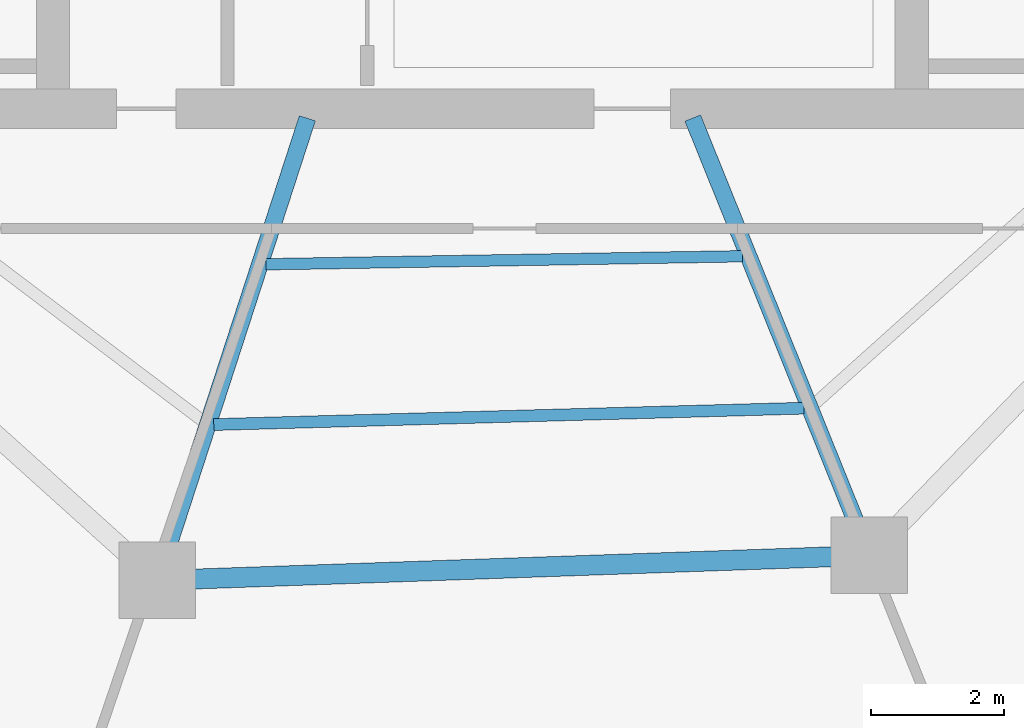
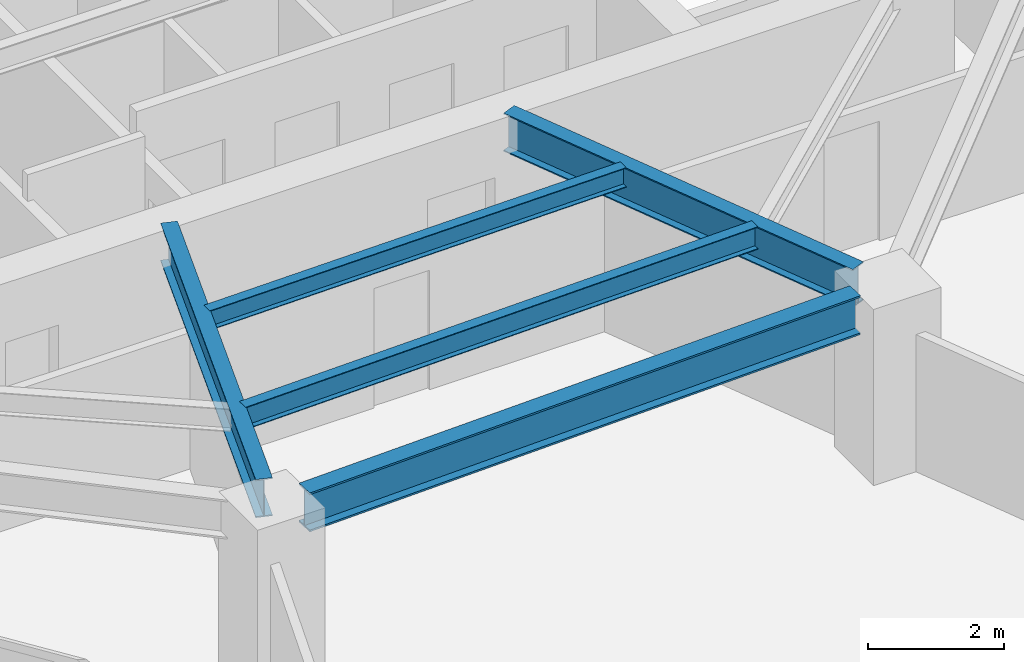
# One storey, part 5 of 30: 5 beams.
"""IFC4 building model written with IfcOpenShell, lengths in metres."""

from ifc_helpers import new_model, si_unit, direction, frame, origin, origin_2d, place, context, subcontext, project, spatial, i_section, extrude, material, material_profile, profile_set, type_object, element, save


model = new_model("IFC4")

# Units and contexts
model_context = context("Model", 3, precision=1e-05, world=origin(), true_north=direction((0.0, 1.0)))
body_context = subcontext(model_context, "Body", "Model", "MODEL_VIEW")
ifc_project = project(units=[si_unit("LENGTHUNIT", "METRE"), si_unit("AREAUNIT", "SQUARE_METRE"), si_unit("VOLUMEUNIT", "CUBIC_METRE"), si_unit("PLANEANGLEUNIT", "RADIAN"), si_unit("MASSUNIT", "GRAM", prefix="KILO")], contexts=[model_context])

# Site, building, storey
site_placement = place(None, origin())
site = spatial("IfcSite", under=ifc_project, at=site_placement, CompositionType="ELEMENT")
building_placement = place(site_placement, origin())
building = spatial("IfcBuilding", under=site, at=building_placement, Name="Qarnah Convention Tower", CompositionType="ELEMENT")
storey_placement = place(building_placement, frame((0.0, 0.0, 86.699951171875)))
storey = spatial("IfcBuildingStorey", under=building, at=storey_placement, Name="L22", CompositionType="ELEMENT", Elevation=86.699951171875)

# Beams
ifc_material = material(Name="Structural steel S355JR", Category="steel")
ifc_material_profile_1 = material_profile(ifc_material, i_section(OverallWidth=0.172119140625, OverallDepth=0.35595703125, WebThickness=0.007080078125, FlangeThickness=0.011962890625, at=origin_2d()), Name="W360X51")
ifc_profile_set_1 = profile_set([ifc_material_profile_1], Name="Structural steel S355JR")
beam_type_1 = type_object("IfcBeamType", Name="BM-JST-W360", PredefinedType="JOIST", material=ifc_profile_set_1)
beam_1_placement = place(storey_placement, frame((33.99609375, 16.263916015625, 2.991943359375), z_axis=(0.99985934511, 0.016771702219, 0.0), x_axis=(-0.016771702219, 0.99985934511, 0.0)))
element("IfcBeam", 1, at=beam_1_placement, inside=storey, type_object=beam_type_1, Name="L22 joist BM-L22-IJST-07", PredefinedType="JOIST", context=body_context, shape_type="SweptSolid", body=[
    extrude(i_section(OverallWidth=0.172119140625, OverallDepth=0.35595703125, WebThickness=0.007080078125, FlangeThickness=0.011962890625, at=origin_2d()), origin(), (0.0, 0.0, 1.0), 7.161865234375),
])
ifc_material_profile_2 = material_profile(ifc_material, i_section(OverallWidth=0.177978515625, OverallDepth=0.407958984375, WebThickness=0.008056640625, FlangeThickness=0.012939453125, at=origin_2d()), Name="W410X60")
ifc_profile_set_2 = profile_set([ifc_material_profile_2], Name="Structural steel S355JR")
beam_type_2 = type_object("IfcBeamType", Name="BM-JST-W410", PredefinedType="JOIST", material=ifc_profile_set_2)
beam_2_placement = place(storey_placement, frame((33.214111328125, 13.85595703125, 2.966064453125), z_axis=(0.999614802667, 0.027753311328, 0.0), x_axis=(-0.027753311328, 0.999614802667, 0.0)))
element("IfcBeam", 2, at=beam_2_placement, inside=storey, type_object=beam_type_2, Name="L22 joist BM-L22-SJST-07", PredefinedType="JOIST", context=body_context, shape_type="SweptSolid", body=[
    extrude(i_section(OverallWidth=0.177978515625, OverallDepth=0.407958984375, WebThickness=0.008056640625, FlangeThickness=0.012939453125, at=origin_2d()), origin(), (0.0, 0.0, 1.0), 8.8671875),
])
ifc_material_profile_3 = material_profile(ifc_material, i_section(OverallWidth=0.25390625, OverallDepth=0.68798828125, WebThickness=0.012939453125, FlangeThickness=0.02099609375, at=origin_2d()), Name="W690X152")
ifc_profile_set_3 = profile_set([ifc_material_profile_3], Name="Structural steel S355JR")
beam_type_3 = type_object("IfcBeamType", Name="BM-RAD-W690", PredefinedType="BEAM", material=ifc_profile_set_3)
beam_3_placement = place(storey_placement, frame((34.6201171875, 18.45703125, 2.825927734375), z_axis=(-0.30908279771, -0.951035132979, 0.0), x_axis=(0.951035132979, -0.30908279771, 0.0)))
element("IfcBeam", 3, at=beam_3_placement, inside=storey, type_object=beam_type_3, Name="L22 beam BM-L22-RAD-07", PredefinedType="BEAM", context=body_context, shape_type="SweptSolid", body=[
    extrude(i_section(OverallWidth=0.25390625, OverallDepth=0.68798828125, WebThickness=0.012939453125, FlangeThickness=0.02099609375, at=origin_2d()), origin(), (0.0, 0.0, 1.0), 6.7431640625),
])
beam_4_placement = place(storey_placement, frame((40.407958984375, 18.4609375, 2.825927734375), z_axis=(0.374642886347, -0.927169190445, 0.0), x_axis=(0.927169190445, 0.374642886347, 0.0)))
element("IfcBeam", 4, at=beam_4_placement, inside=storey, type_object=beam_type_3, Name="L22 beam BM-L22-RAD-08", PredefinedType="BEAM", context=body_context, shape_type="SweptSolid", body=[
    extrude(i_section(OverallWidth=0.25390625, OverallDepth=0.68798828125, WebThickness=0.012939453125, FlangeThickness=0.02099609375, at=origin_2d()), origin(), (0.0, 0.0, 1.0), 6.531494140625),
])
ifc_material_profile_4 = material_profile(ifc_material, i_section(OverallWidth=0.300048828125, OverallDepth=0.699951171875, WebThickness=0.01708984375, FlangeThickness=0.031982421875, at=origin_2d()), Name="HEB700")
ifc_profile_set_4 = profile_set([ifc_material_profile_4], Name="Structural steel S355JR")
beam_type_4 = type_object("IfcBeamType", Name="BM-RING-HEB700", PredefinedType="BEAM", material=ifc_profile_set_4)
beam_5_placement = place(storey_placement, frame((32.928955078125, 11.535888671875, 2.820068359375), z_axis=(0.999390577592, 0.03490663862, 0.0), x_axis=(-0.03490663862, 0.999390577592, 0.0)))
element("IfcBeam", 5, at=beam_5_placement, inside=storey, type_object=beam_type_4, Name="L22 beam BM-L22-SPN-07", PredefinedType="BEAM", context=body_context, shape_type="SweptSolid", body=[
    extrude(i_section(OverallWidth=0.300048828125, OverallDepth=0.699951171875, WebThickness=0.01708984375, FlangeThickness=0.031982421875, at=origin_2d()), origin(), (0.0, 0.0, 1.0), 9.574951171875),
])

save(model, "model.ifc")
